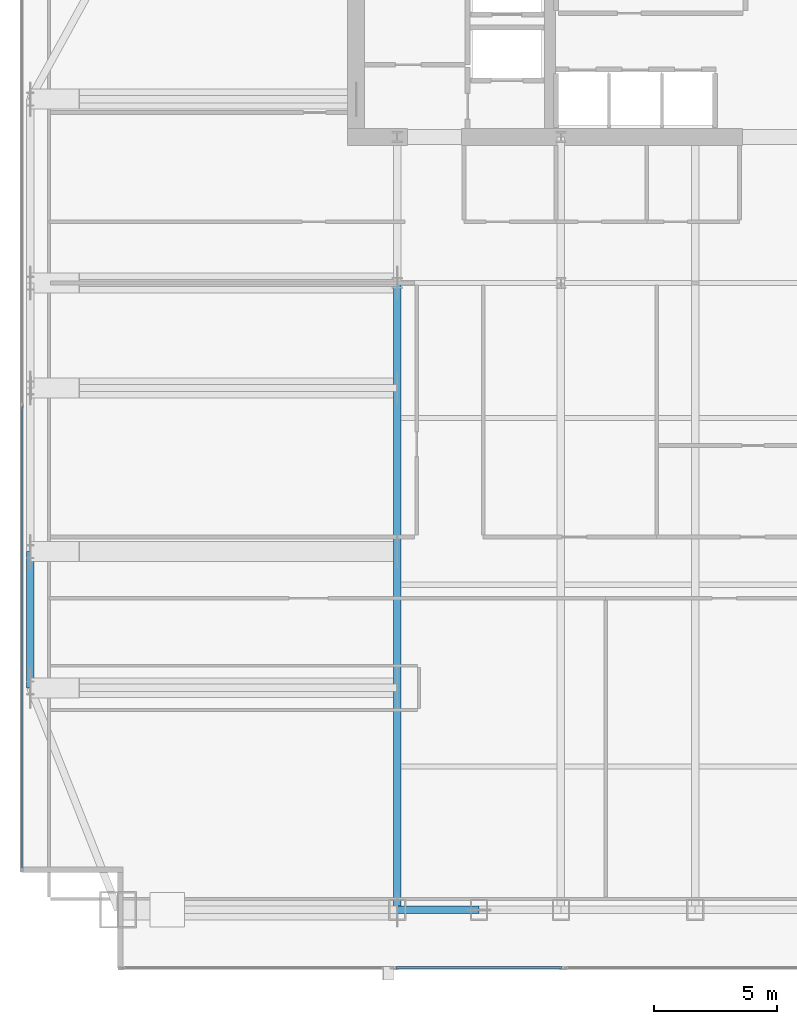
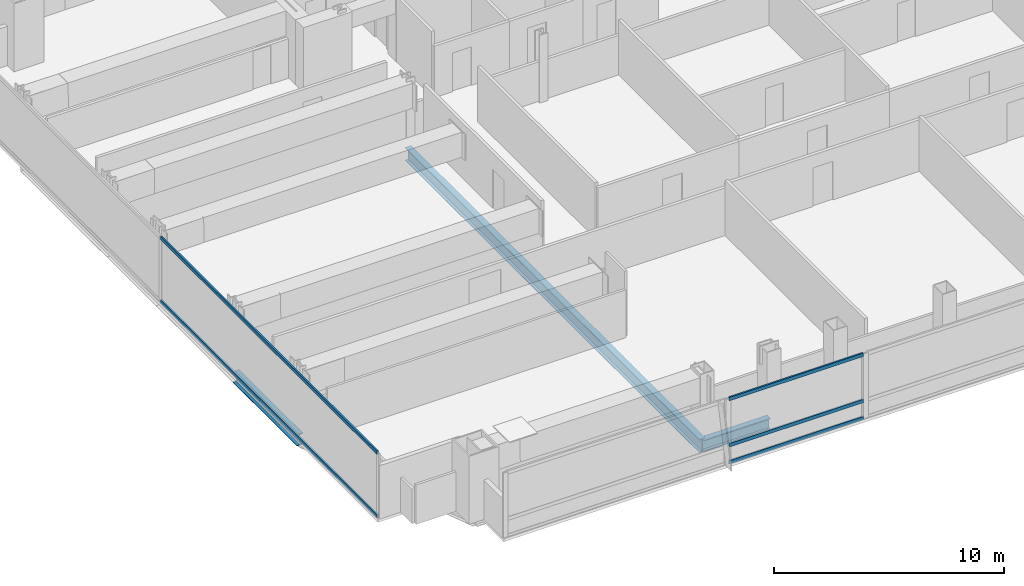
# One storey, part 7 of 30: 5 members, 3 beams, 2 elements without a shape of their own.
"""IFC4 building model written with IfcOpenShell, lengths in metres."""

from ifc_helpers import new_model, si_unit, direction, frame, origin, origin_2d, place, context, subcontext, project, spatial, hollow_rectangle, i_section, extrude, material, material_profile, profile_set, type_object, element, aggregate, save


model = new_model("IFC4")

# Units and contexts
model_context = context("Model", 3, precision=1e-05, world=origin(), true_north=direction((0.0, 1.0)))
body_context = subcontext(model_context, "Body", "Model", "MODEL_VIEW")
ifc_project = project(units=[si_unit("LENGTHUNIT", "METRE"), si_unit("AREAUNIT", "SQUARE_METRE"), si_unit("VOLUMEUNIT", "CUBIC_METRE"), si_unit("PLANEANGLEUNIT", "RADIAN"), si_unit("MASSUNIT", "GRAM", prefix="KILO")], contexts=[model_context])

# Site, building, storey
site_placement = place(None, origin())
site = spatial("IfcSite", under=ifc_project, at=site_placement, CompositionType="ELEMENT")
building_placement = place(site_placement, origin())
building = spatial("IfcBuilding", under=site, at=building_placement, Name="Khoronbel Lancet Exchange", CompositionType="ELEMENT")
storey_placement = place(building_placement, frame((0.0, 0.0, 132.60009765625)))
storey = spatial("IfcBuildingStorey", under=building, at=storey_placement, Name="L32", CompositionType="ELEMENT", Elevation=132.60009765625)

# Beams
ifc_material_1 = material(Name="Steel S355", Category="steel")
ifc_material_profile_1 = material_profile(ifc_material_1, i_section(OverallWidth=0.300048828125, OverallDepth=0.699951171875, WebThickness=0.01708984375, FlangeThickness=0.031982421875, at=origin_2d()), Name="HEB 700")
ifc_profile_set_1 = profile_set([ifc_material_profile_1], Name="Steel S355")
beam_type_1 = type_object("IfcBeamType", Name="BM-BG3", PredefinedType="BEAM", material=ifc_profile_set_1)
beam_1_placement = place(storey_placement, frame((18.22509765625, 10.14990234375, -0.510009765625), z_axis=(0.0, 1.0, 0.0), x_axis=(-1.0, 0.0, 0.0)))
element("IfcBeam", 1, at=beam_1_placement, inside=storey, type_object=beam_type_1, Name="Level L32 south primary girder GS1", PredefinedType="BEAM", context=body_context, shape_type="SweptSolid", body=[
    extrude(i_section(OverallWidth=0.300048828125, OverallDepth=0.699951171875, WebThickness=0.01708984375, FlangeThickness=0.031982421875, at=origin_2d()), origin(), (0.0, 0.0, 1.0), 25.550048828125),
])
ifc_material_profile_2 = material_profile(ifc_material_1, i_section(OverallWidth=0.300048828125, OverallDepth=0.60009765625, WebThickness=0.015380859375, FlangeThickness=0.030029296875, at=origin_2d()), Name="HEB 600")
ifc_profile_set_2 = profile_set([ifc_material_profile_2], Name="Steel S355")
beam_type_2 = type_object("IfcBeamType", Name="BM-BSP2", PredefinedType="SPANDREL", material=ifc_profile_set_2)
beam_2_placement = place(storey_placement, frame((18.22509765625, 10.14990234375, -0.460205078125), z_axis=(1.0, 0.0, 0.0), x_axis=(0.0, 1.0, 0.0)))
element("IfcBeam", 2, at=beam_2_placement, inside=storey, type_object=beam_type_2, Name="Level L32 perimeter spandrel beam SP02", PredefinedType="SPANDREL", context=body_context, shape_type="SweptSolid", body=[
    extrude(i_section(OverallWidth=0.300048828125, OverallDepth=0.60009765625, WebThickness=0.015380859375, FlangeThickness=0.030029296875, at=origin_2d()), origin(), (0.0, 0.0, 1.0), 3.33740234375),
])
beam_3_placement = place(storey_placement, frame((3.27001953125, 24.75, -0.460205078125), z_axis=(0.0, -1.0, 0.0), x_axis=(1.0, 0.0, 0.0)))
element("IfcBeam", 3, at=beam_3_placement, inside=storey, type_object=beam_type_2, Name="Level L32 perimeter spandrel beam SP20", PredefinedType="SPANDREL", context=body_context, shape_type="SweptSolid", body=[
    extrude(i_section(OverallWidth=0.300048828125, OverallDepth=0.60009765625, WebThickness=0.015380859375, FlangeThickness=0.030029296875, at=origin_2d()), origin(), (0.0, 0.0, 1.0), 5.550048828125),
])

# Curtain wall, members
ifc_material_2 = material(Name="Low-E Solar Control Insulating Glass", Category="glass")
curtain_wall_type_1 = type_object("IfcCurtainWallType", Name="CW-4", PredefinedType="NOTDEFINED", material=ifc_material_2)
curtain_wall_1_placement = place(storey_placement, origin())
curtain_wall_1 = element("IfcCurtainWall", 4, at=curtain_wall_1_placement, inside=storey, type_object=curtain_wall_type_1, Name="Unitised curtain wall CW-L32-E03", PredefinedType="NOTDEFINED")
ifc_material_3 = material(Name="Bronze-Anodised Aluminium 6063-T6", Category="aluminium")
ifc_material_profile_3 = material_profile(ifc_material_3, hollow_rectangle(XDim=0.0849609375, YDim=0.179931640625, WallThickness=0.0048828125, at=origin_2d()), Name="ALU TRANSOM 85x180")
ifc_profile_set_3 = profile_set([ifc_material_profile_3], Name="Bronze-Anodised Aluminium 6063-T6")
member_type = type_object("IfcMemberType", Name="MEM-CWT1", PredefinedType="USERDEFINED", material=ifc_profile_set_3)
member_1_placement = place(storey_placement, frame((2.93994140625, 11.864990234375, 0.04248046875), z_axis=(0.0, 1.0, 0.0), x_axis=(-1.0, 0.0, 0.0)))
member_1 = element("IfcMember", 5, at=member_1_placement, type_object=member_type, Name="CW4 transom 1.1", ObjectType="TRANSOM", PredefinedType="USERDEFINED", context=body_context, shape_type="SweptSolid", body=[
    extrude(hollow_rectangle(XDim=0.0849609375, YDim=0.179931640625, WallThickness=0.0048828125, at=origin_2d()), origin(), (0.0, 0.0, 1.0), 18.797607421875),
])
member_2_placement = place(storey_placement, frame((2.93994140625, 11.864990234375, 3.3974609375), z_axis=(0.0, 1.0, 0.0), x_axis=(-1.0, 0.0, 0.0)))
member_2 = element("IfcMember", 6, at=member_2_placement, type_object=member_type, Name="CW4 transom 1.2", ObjectType="TRANSOM", PredefinedType="USERDEFINED", context=body_context, shape_type="SweptSolid", body=[
    extrude(hollow_rectangle(XDim=0.0849609375, YDim=0.179931640625, WallThickness=0.0048828125, at=origin_2d()), origin(), (0.0, 0.0, 1.0), 18.797607421875),
])
aggregate(curtain_wall_1, [member_1, member_2])

curtain_wall_type_2 = type_object("IfcCurtainWallType", Name="CW-2", PredefinedType="NOTDEFINED", material=ifc_material_2)
curtain_wall_2_placement = place(storey_placement, origin())
curtain_wall_2 = element("IfcCurtainWall", 7, at=curtain_wall_2_placement, inside=storey, type_object=curtain_wall_type_2, Name="Unitised curtain wall CW-L32-SWB", PredefinedType="NOTDEFINED")
member_3_placement = place(storey_placement, frame((18.18505859375, 7.7900390625, 0.04248046875), z_axis=(1.0, 0.0, 0.0), x_axis=(0.0, 1.0, 0.0)))
member_3 = element("IfcMember", 8, at=member_3_placement, type_object=member_type, Name="CW2 transom 1.1", ObjectType="TRANSOM", PredefinedType="USERDEFINED", context=body_context, shape_type="SweptSolid", body=[
    extrude(hollow_rectangle(XDim=0.0849609375, YDim=0.179931640625, WallThickness=0.0048828125, at=origin_2d()), origin(), (0.0, 0.0, 1.0), 6.72998046875),
])
member_4_placement = place(storey_placement, frame((18.18505859375, 7.7900390625, 0.949951171875), z_axis=(1.0, 0.0, 0.0), x_axis=(0.0, 1.0, 0.0)))
member_4 = element("IfcMember", 9, at=member_4_placement, type_object=member_type, Name="CW2 transom 1.2", ObjectType="TRANSOM", PredefinedType="USERDEFINED", context=body_context, shape_type="SweptSolid", body=[
    extrude(hollow_rectangle(XDim=0.0849609375, YDim=0.179931640625, WallThickness=0.0048828125, at=origin_2d()), origin(), (0.0, 0.0, 1.0), 6.72998046875),
])
member_5_placement = place(storey_placement, frame((18.18505859375, 7.7900390625, 3.3974609375), z_axis=(1.0, 0.0, 0.0), x_axis=(0.0, 1.0, 0.0)))
member_5 = element("IfcMember", 10, at=member_5_placement, type_object=member_type, Name="CW2 transom 1.3", ObjectType="TRANSOM", PredefinedType="USERDEFINED", context=body_context, shape_type="SweptSolid", body=[
    extrude(hollow_rectangle(XDim=0.0849609375, YDim=0.179931640625, WallThickness=0.0048828125, at=origin_2d()), origin(), (0.0, 0.0, 1.0), 6.72998046875),
])
aggregate(curtain_wall_2, [member_3, member_4, member_5])

save(model, "model.ifc")
